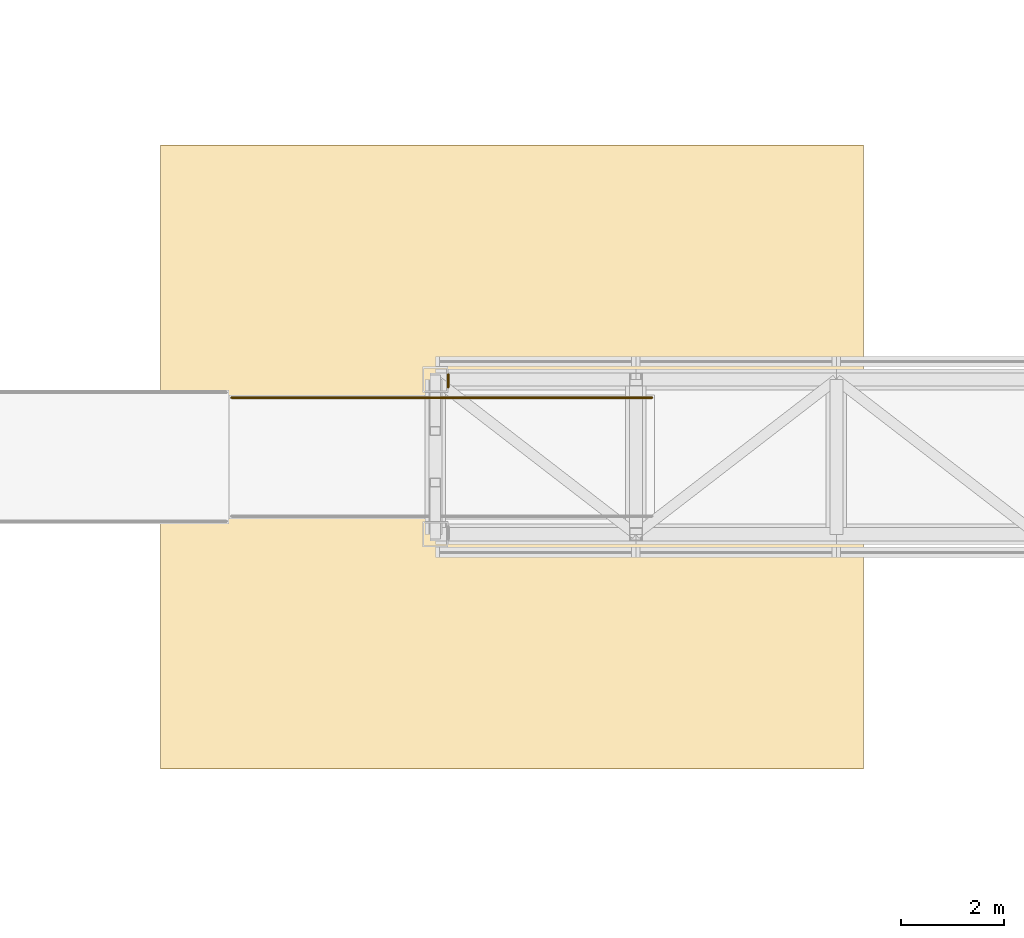
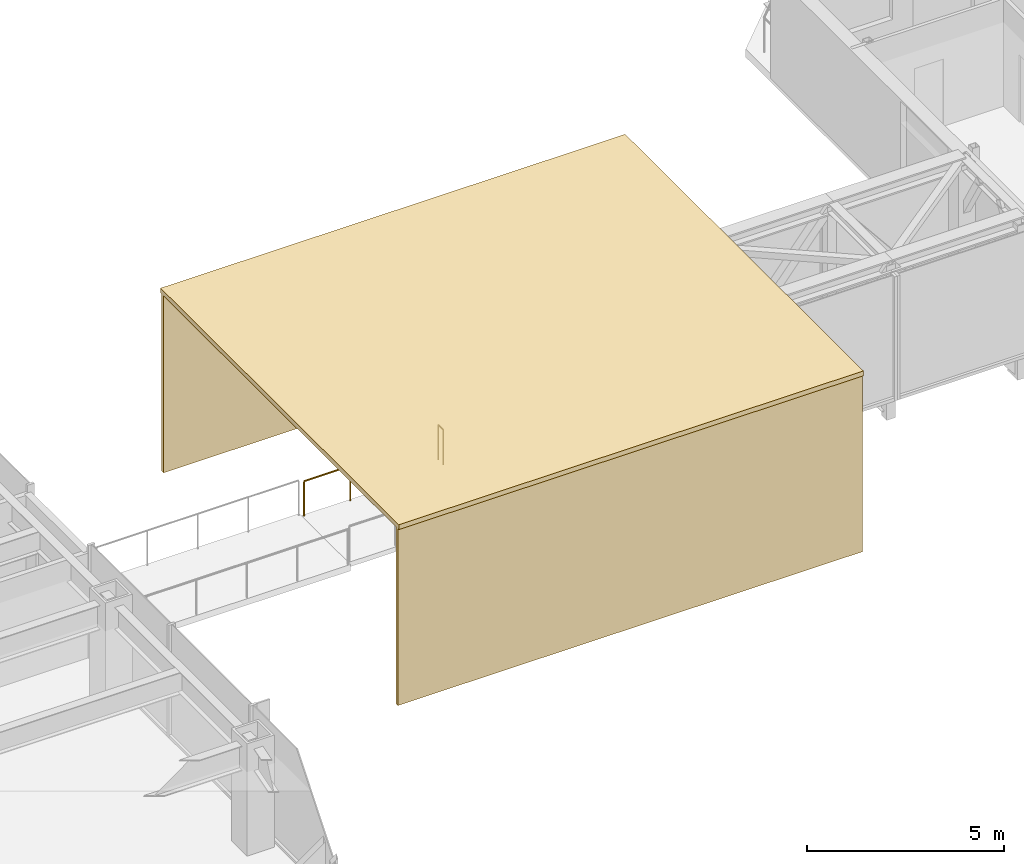
# One storey, part 21 of 23: 2 railings, 1 covering.
"""IFC4 building model written with IfcOpenShell, lengths in metres."""

from ifc_helpers import new_model, si_unit, direction, frame, origin, origin_2d, place, context, subcontext, project, spatial, rectangle, circle, extrude, material, layer, layer_set, type_object, element, save


model = new_model("IFC4")

# Units and contexts
model_context = context("Model", 3, precision=1e-05, world=origin(), true_north=direction((0.0, 1.0)))
body_context = subcontext(model_context, "Body", "Model", "MODEL_VIEW")
ifc_project = project(units=[si_unit("LENGTHUNIT", "METRE"), si_unit("AREAUNIT", "SQUARE_METRE"), si_unit("VOLUMEUNIT", "CUBIC_METRE"), si_unit("PLANEANGLEUNIT", "RADIAN"), si_unit("MASSUNIT", "GRAM", prefix="KILO")], contexts=[model_context])

# Site, building, storey
site_placement = place(None, origin())
site = spatial("IfcSite", under=ifc_project, at=site_placement, CompositionType="ELEMENT")
building_placement = place(site_placement, origin())
building = spatial("IfcBuilding", under=site, at=building_placement, Name="Iwan Alto Co-Living Towers", CompositionType="ELEMENT")
storey_placement = place(building_placement, frame((0.0, 0.0, 129.5)))
storey = spatial("IfcBuildingStorey", under=building, at=storey_placement, Name="L35", CompositionType="ELEMENT", Elevation=129.5)

# Railings
ifc_material_1 = material(Name="Stainless steel ASTM A554 Type 316", Category="steel")
railing_type = type_object("IfcRailingType", Name="BRIDGE JOINT GUARD 1100", PredefinedType="GUARDRAIL", material=ifc_material_1)
railing_1_placement = place(storey_placement, frame((28.800048828125, 1.14990234375, 0.0)))
element("IfcRailing", 1, at=railing_1_placement, inside=storey, type_object=railing_type, Name="Skybridge BR2 joint guard", PredefinedType="GUARDRAIL", context=body_context, shape_type="SweptSolid", body=[
    extrude(circle(Radius=0.02392578125, at=origin_2d()), frame((0.0, 0.0, 1.076171875), z_axis=(1.0, 0.0, 0.0), x_axis=(0.0, 1.0, 0.0)), (0.0, 0.0, 1.0), 8.14990234375),
    extrude(circle(Radius=0.02099609375, at=origin_2d()), origin(), (0.0, 0.0, 1.0), 1.052001953125),
    extrude(circle(Radius=0.02099609375, at=origin_2d()), frame((1.3583984375, 0.0, 0.0)), (0.0, 0.0, 1.0), 1.052001953125),
    extrude(circle(Radius=0.02099609375, at=origin_2d()), frame((2.716552734375, 0.0, 0.0)), (0.0, 0.0, 1.0), 1.052001953125),
    extrude(circle(Radius=0.02099609375, at=origin_2d()), frame((4.074951171875, 0.0, 0.0)), (0.0, 0.0, 1.0), 1.052001953125),
    extrude(circle(Radius=0.02099609375, at=origin_2d()), frame((5.433349609375, 0.0, 0.0)), (0.0, 0.0, 1.0), 1.052001953125),
    extrude(circle(Radius=0.02099609375, at=origin_2d()), frame((6.79150390625, 0.0, 0.0)), (0.0, 0.0, 1.0), 1.052001953125),
    extrude(circle(Radius=0.02099609375, at=origin_2d()), frame((8.14990234375, 0.0, 0.0)), (0.0, 0.0, 1.0), 1.052001953125),
])
railing_2_placement = place(storey_placement, frame((33.0, 1.60009765625, 0.0)))
element("IfcRailing", 2, at=railing_2_placement, inside=storey, type_object=railing_type, Name="Skybridge BR2 joint guard", PredefinedType="GUARDRAIL", context=body_context, shape_type="SweptSolid", body=[
    extrude(circle(Radius=0.02392578125, at=origin_2d()), frame((0.0, 0.0, 1.076171875), z_axis=(0.0, -1.0, 0.0), x_axis=(1.0, 0.0, 0.0)), (0.0, 0.0, 1.0), 0.25),
    extrude(circle(Radius=0.02099609375, at=origin_2d()), origin(), (0.0, 0.0, 1.0), 1.052001953125),
    extrude(circle(Radius=0.02099609375, at=origin_2d()), frame((0.0, -0.25, 0.0)), (0.0, 0.0, 1.0), 1.052001953125),
])

# Covering
ifc_material_2 = material(Name="Aluminium 6063-T6 bronze anodised insulated panel", Category="aluminium")
ifc_layer_1 = layer(ifc_material_2, 0.06005859375, Name="Insulated panels", Category="Finish")
ifc_material_3 = material(Name="Steel ASTM A500 Gr C", Category="steel")
ifc_layer_2 = layer(ifc_material_3, 0.0400390625, Name="Steel frame", Category="Framing")
ifc_layer_set = layer_set([ifc_layer_1, ifc_layer_2], Name="BRIDGE LANDING POD")
covering_type = type_object("IfcCoveringType", Name="BRIDGE LANDING POD", PredefinedType="USERDEFINED", material=ifc_layer_set)
covering_placement = place(storey_placement, frame((0.0, 0.0, -129.5)))
element("IfcCovering", 3, at=covering_placement, inside=storey, type_object=covering_type, Name="Skybridge BR2 landing pod", ObjectType="LANDING POD", PredefinedType="USERDEFINED", context=body_context, shape_type="SweptSolid", body=[
    extrude(rectangle(XDim=13.626220703125, YDim=12.10009765625, at=origin_2d()), frame((34.23681640625, 0.0, 133.923583984375), z_axis=(0.0, 0.0, 1.0), x_axis=(1.0, 0.0, 0.0)), (0.0, 0.0, 1.0), 0.14990234375),
    extrude(rectangle(XDim=13.626220703125, YDim=0.10009765625, at=origin_2d()), frame((34.23681640625, -5.949951171875, 128.437744140625), z_axis=(0.0, 0.0, 1.0), x_axis=(1.0, 0.0, 0.0)), (0.0, 0.0, 1.0), 5.48583984375),
    extrude(rectangle(XDim=13.626220703125, YDim=0.10009765625, at=origin_2d()), frame((34.23681640625, 5.949951171875, 128.437744140625), z_axis=(0.0, 0.0, 1.0), x_axis=(1.0, 0.0, 0.0)), (0.0, 0.0, 1.0), 5.48583984375),
])

save(model, "model.ifc")
